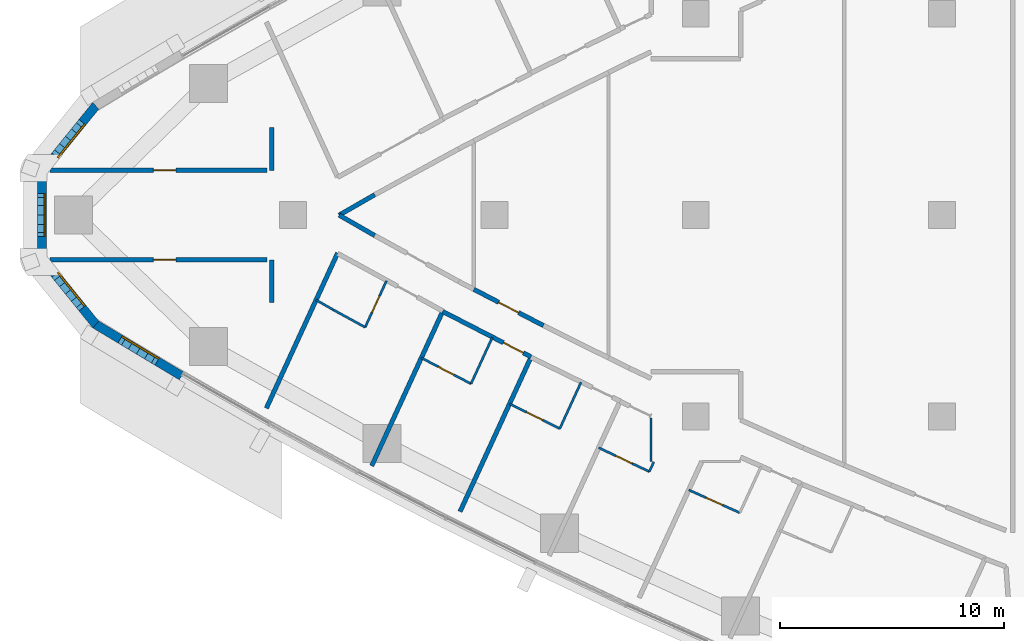
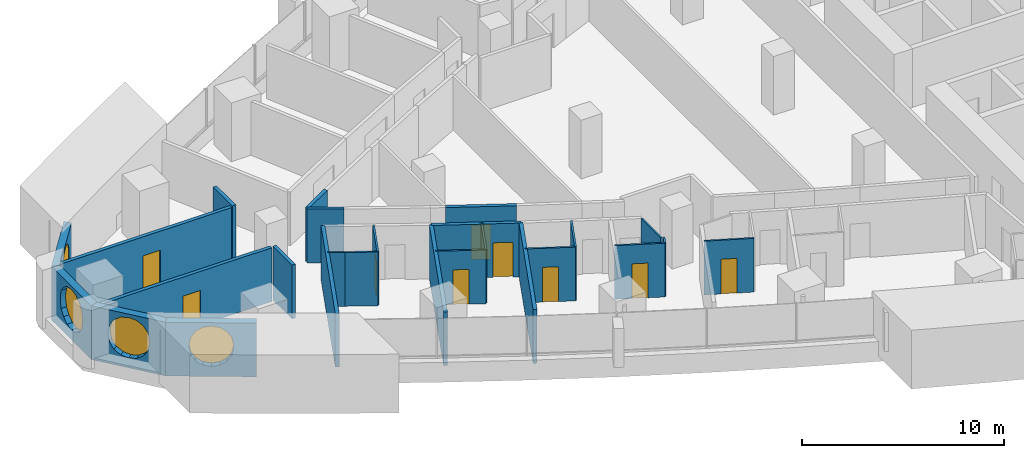
# One storey, part 8 of 17: 26 walls, 9 doors, 4 windows, 13 openings.
"""IFC4 building model written with IfcOpenShell, lengths in metres."""

from ifc_helpers import new_model, si_unit, direction, frame, frame_2d, origin, place, context, subcontext, project, spatial, polyline, rectangle, outline, extrude, material, layer, layer_set, type_object, element, fill, save


model = new_model("IFC4")

# Units and contexts
model_context = context("Model", 3, precision=1e-05, world=origin(), true_north=direction((0.0, 1.0)))
body_context = subcontext(model_context, "Body", "Model", "MODEL_VIEW")
ifc_project = project(units=[si_unit("LENGTHUNIT", "METRE"), si_unit("AREAUNIT", "SQUARE_METRE"), si_unit("VOLUMEUNIT", "CUBIC_METRE"), si_unit("PLANEANGLEUNIT", "RADIAN"), si_unit("MASSUNIT", "GRAM", prefix="KILO")], contexts=[model_context])

# Site, building, storey
site_placement = place(None, origin())
site = spatial("IfcSite", under=ifc_project, at=site_placement, CompositionType="ELEMENT")
building_placement = place(site_placement, origin())
building = spatial("IfcBuilding", under=site, at=building_placement, Name="Ostrand Prow Hotel Tower", CompositionType="ELEMENT")
storey_placement = place(building_placement, frame((0.0, 0.0, 88.449951171875)))
storey = spatial("IfcBuildingStorey", under=building, at=storey_placement, Name="L20", CompositionType="ELEMENT", Elevation=88.449951171875)

# Wall, opening, door
ifc_material_1 = material(Name="Plasterboard partition")
ifc_layer_1 = layer(ifc_material_1, 0.10009765625)
ifc_layer_set_1 = layer_set([ifc_layer_1], Name="Plasterboard partition")
wall_type_1 = type_object("IfcWallType", Name="Partition 100 bathroom wall", PredefinedType="PARTITIONING", material=ifc_layer_set_1)
wall_1_placement = place(storey_placement, frame((20.180419921875, -2.93408203125, 0.0), z_axis=(0.0, 0.0, 1.0), x_axis=(-0.417450047292, -0.908699872354, 0.0)))
wall_1 = element("IfcWall", 1, at=wall_1_placement, inside=storey, type_object=wall_type_1, Name="BATHROOM WALL", PredefinedType="PARTITIONING", context=body_context, shape_type="SweptSolid", body=[
    extrude(rectangle(XDim=2.28271484375, YDim=0.10009765625, at=frame_2d((1.141357421875, 0.0))), origin(), (0.0, 0.0, 1.0), 3.25),
])
opening_1_placement = place(wall_1_placement, frame((0.75, 0.0, 0.0)))
opening_1 = element("IfcOpeningElement", 2, at=opening_1_placement, cuts=wall_1, Name="Opening D2", PredefinedType="OPENING", context=body_context, shape_type="SweptSolid", body=[
    extrude(rectangle(XDim=0.800048828125, YDim=2.10009765625, at=frame_2d((0.39990234375, 1.050048828125))), frame((0.0, 0.06005859375, 0.0), z_axis=(0.0, -1.0, 0.0), x_axis=(1.0, 0.0, 0.0)), (0.0, 0.0, 1.0), 0.1201171875),
])
ifc_material_2 = material(Name="Timber door leaf", Category="wood")
door_type_1 = type_object("IfcDoorType", Name="Bathroom door 800", OperationType="SINGLE_SWING_LEFT", PredefinedType="DOOR", material=ifc_material_2)
door_1_placement = place(opening_1_placement, origin())
door_1 = element("IfcDoor", 3, at=door_1_placement, inside=storey, type_object=door_type_1, Name="DOOR", OperationType="SINGLE_SWING_LEFT", OverallHeight=2.10009765625, OverallWidth=0.800048828125, PredefinedType="DOOR", context=body_context, shape_type="SweptSolid", body=[
    extrude(rectangle(XDim=0.800048828125, YDim=2.10009765625, at=frame_2d((0.39990234375, 1.050048828125))), frame((0.0, 0.02490234375, 0.0), z_axis=(0.0, -1.0, 0.0), x_axis=(1.0, 0.0, 0.0)), (0.0, 0.0, 1.0), 0.050048828125),
])
fill(opening_1, door_1)

# Walls
wall_2_placement = place(storey_placement, frame((19.2275390625, -5.00830078125, 0.0), z_axis=(0.0, 0.0, 1.0), x_axis=(-0.877424481957, 0.479714788663, 0.0)))
element("IfcWall", 4, at=wall_2_placement, inside=storey, type_object=wall_type_1, Name="BATHROOM WALL", PredefinedType="PARTITIONING", context=body_context, shape_type="SweptSolid", body=[
    extrude(rectangle(XDim=1.62548828125, YDim=0.10009765625, at=frame_2d((0.812744140625, 0.0))), origin(), (0.0, 0.0, 1.0), 3.25),
])
wall_3_placement = place(storey_placement, frame((17.80126953125, -4.228515625, 0.0), z_axis=(0.0, 0.0, 1.0), x_axis=(-0.867629162742, 0.497211862248, 0.0)))
element("IfcWall", 5, at=wall_3_placement, inside=storey, type_object=wall_type_1, Name="BATHROOM WALL", PredefinedType="PARTITIONING", context=body_context, shape_type="SweptSolid", body=[
    extrude(rectangle(XDim=0.8818359375, YDim=0.10009765625, at=frame_2d((0.44091796875, 0.0))), origin(), (0.0, 0.0, 1.0), 3.25),
])
wall_4_placement = place(storey_placement, frame((24.9091796875, -5.4619140625, 0.0), z_axis=(0.0, 0.0, 1.0), x_axis=(-0.417454762401, -0.908697706253, 0.0)))
element("IfcWall", 6, at=wall_4_placement, inside=storey, type_object=wall_type_1, Name="BATHROOM WALL", PredefinedType="PARTITIONING", context=body_context, shape_type="SweptSolid", body=[
    extrude(rectangle(XDim=2.27978515625, YDim=0.10009765625, at=frame_2d((1.139892578125, 0.0))), origin(), (0.0, 0.0, 1.0), 3.25),
])

# Wall, opening, door
wall_5_placement = place(storey_placement, frame((23.95751953125, -7.533447265625, 0.0), z_axis=(0.0, 0.0, 1.0), x_axis=(-0.886911586599, 0.461939214135, 0.0)))
wall_5 = element("IfcWall", 7, at=wall_5_placement, inside=storey, type_object=wall_type_1, Name="BATHROOM WALL", PredefinedType="PARTITIONING", context=body_context, shape_type="SweptSolid", body=[
    extrude(rectangle(XDim=2.5029296875, YDim=0.10009765625, at=frame_2d((1.25146484375, 0.0))), origin(), (0.0, 0.0, 1.0), 3.25),
])
opening_2_placement = place(wall_5_placement, frame((0.85009765625, 0.0, 0.0)))
opening_2 = element("IfcOpeningElement", 8, at=opening_2_placement, cuts=wall_5, Name="Opening D2", PredefinedType="OPENING", context=body_context, shape_type="SweptSolid", body=[
    extrude(rectangle(XDim=0.800048828125, YDim=2.10009765625, at=frame_2d((0.39990234375, 1.050048828125))), frame((0.0, 0.06005859375, 0.0), z_axis=(0.0, -1.0, 0.0), x_axis=(1.0, 0.0, 0.0)), (0.0, 0.0, 1.0), 0.1201171875),
])
door_2_placement = place(opening_2_placement, origin())
door_2 = element("IfcDoor", 9, at=door_2_placement, inside=storey, type_object=door_type_1, Name="DOOR", OperationType="SINGLE_SWING_LEFT", OverallHeight=2.10009765625, OverallWidth=0.800048828125, PredefinedType="DOOR", context=body_context, shape_type="SweptSolid", body=[
    extrude(rectangle(XDim=0.800048828125, YDim=2.10009765625, at=frame_2d((0.39990234375, 1.050048828125))), frame((0.0, 0.02490234375, 0.0), z_axis=(0.0, -1.0, 0.0), x_axis=(1.0, 0.0, 0.0)), (0.0, 0.0, 1.0), 0.050048828125),
])
fill(opening_2, door_2)

# Wall
wall_6_placement = place(storey_placement, frame((28.87255859375, -7.466552734375, 0.0), z_axis=(0.0, 0.0, 1.0), x_axis=(-0.417433204355, -0.908707609686, 0.0)))
element("IfcWall", 10, at=wall_6_placement, inside=storey, type_object=wall_type_1, Name="BATHROOM WALL", PredefinedType="PARTITIONING", context=body_context, shape_type="SweptSolid", body=[
    extrude(rectangle(XDim=2.278076171875, YDim=0.10009765625, at=frame_2d((1.13916015625, 0.0))), origin(), (0.0, 0.0, 1.0), 3.25),
])

# Wall, opening, door
wall_7_placement = place(storey_placement, frame((27.921630859375, -9.53662109375, 0.0), z_axis=(0.0, 0.0, 1.0), x_axis=(-0.895944857815, 0.444165297784, 0.0)))
wall_7 = element("IfcWall", 11, at=wall_7_placement, inside=storey, type_object=wall_type_1, Name="BATHROOM WALL", PredefinedType="PARTITIONING", context=body_context, shape_type="SweptSolid", body=[
    extrude(rectangle(XDim=2.5009765625, YDim=0.10009765625, at=frame_2d((1.25048828125, 0.0))), origin(), (0.0, 0.0, 1.0), 3.25),
])
opening_3_placement = place(wall_7_placement, frame((0.85009765625, 0.0, 0.0)))
opening_3 = element("IfcOpeningElement", 12, at=opening_3_placement, cuts=wall_7, Name="Opening D2", PredefinedType="OPENING", context=body_context, shape_type="SweptSolid", body=[
    extrude(rectangle(XDim=0.800048828125, YDim=2.10009765625, at=frame_2d((0.39990234375, 1.050048828125))), frame((0.0, 0.06005859375, 0.0), z_axis=(0.0, -1.0, 0.0), x_axis=(1.0, 0.0, 0.0)), (0.0, 0.0, 1.0), 0.1201171875),
])
door_3_placement = place(opening_3_placement, origin())
door_3 = element("IfcDoor", 13, at=door_3_placement, inside=storey, type_object=door_type_1, Name="DOOR", OperationType="SINGLE_SWING_LEFT", OverallHeight=2.10009765625, OverallWidth=0.800048828125, PredefinedType="DOOR", context=body_context, shape_type="SweptSolid", body=[
    extrude(rectangle(XDim=0.800048828125, YDim=2.10009765625, at=frame_2d((0.39990234375, 1.050048828125))), frame((0.0, 0.02490234375, 0.0), z_axis=(0.0, -1.0, 0.0), x_axis=(1.0, 0.0, 0.0)), (0.0, 0.0, 1.0), 0.050048828125),
])
fill(opening_3, door_3)

# Wall
wall_8_placement = place(storey_placement, frame((32.123779296875, -11.022216796875, 0.0), z_axis=(0.0, 0.0, 1.0), x_axis=(-0.4176025781, -0.908629785316, 0.0)))
element("IfcWall", 14, at=wall_8_placement, inside=storey, type_object=wall_type_1, Name="BATHROOM WALL", PredefinedType="PARTITIONING", context=body_context, shape_type="SweptSolid", body=[
    extrude(rectangle(XDim=0.478759765625, YDim=0.10009765625, at=frame_2d((0.2392578125, 0.0))), origin(), (0.0, 0.0, 1.0), 3.25),
])

# Wall, opening, door
wall_9_placement = place(storey_placement, frame((31.923828125, -11.457275390625, 0.0), z_axis=(0.0, 0.0, 1.0), x_axis=(-0.904688082375, 0.426074493027, 0.0)))
wall_9 = element("IfcWall", 15, at=wall_9_placement, inside=storey, type_object=wall_type_1, Name="BATHROOM WALL", PredefinedType="PARTITIONING", context=body_context, shape_type="SweptSolid", body=[
    extrude(rectangle(XDim=2.5, YDim=0.10009765625, at=frame_2d((1.25, 0.0))), origin(), (0.0, 0.0, 1.0), 3.25),
])
opening_4_placement = place(wall_9_placement, frame((0.85009765625, 0.0, 0.0)))
opening_4 = element("IfcOpeningElement", 16, at=opening_4_placement, cuts=wall_9, Name="Opening D2", PredefinedType="OPENING", context=body_context, shape_type="SweptSolid", body=[
    extrude(rectangle(XDim=0.800048828125, YDim=2.10009765625, at=frame_2d((0.39990234375, 1.050048828125))), frame((0.0, 0.06005859375, 0.0), z_axis=(0.0, -1.0, 0.0), x_axis=(1.0, 0.0, 0.0)), (0.0, 0.0, 1.0), 0.1201171875),
])
door_4_placement = place(opening_4_placement, origin())
door_4 = element("IfcDoor", 17, at=door_4_placement, inside=storey, type_object=door_type_1, Name="DOOR", OperationType="SINGLE_SWING_LEFT", OverallHeight=2.10009765625, OverallWidth=0.800048828125, PredefinedType="DOOR", context=body_context, shape_type="SweptSolid", body=[
    extrude(rectangle(XDim=0.800048828125, YDim=2.10009765625, at=frame_2d((0.39990234375, 1.050048828125))), frame((0.0, 0.02490234375, 0.0), z_axis=(0.0, -1.0, 0.0), x_axis=(1.0, 0.0, 0.0)), (0.0, 0.0, 1.0), 0.050048828125),
])
fill(opening_4, door_4)

wall_10_placement = place(storey_placement, frame((35.966552734375, -13.296875, 0.0), z_axis=(0.0, 0.0, 1.0), x_axis=(-0.913016449487, 0.407922741417, 0.0)))
wall_10 = element("IfcWall", 18, at=wall_10_placement, inside=storey, type_object=wall_type_1, Name="BATHROOM WALL", PredefinedType="PARTITIONING", context=body_context, shape_type="SweptSolid", body=[
    extrude(rectangle(XDim=2.5, YDim=0.10009765625, at=frame_2d((1.25, 0.0))), origin(), (0.0, 0.0, 1.0), 3.25),
])
opening_5_placement = place(wall_10_placement, frame((0.85009765625, 0.0, 0.0)))
opening_5 = element("IfcOpeningElement", 19, at=opening_5_placement, cuts=wall_10, Name="Opening D2", PredefinedType="OPENING", context=body_context, shape_type="SweptSolid", body=[
    extrude(rectangle(XDim=0.800048828125, YDim=2.10009765625, at=frame_2d((0.39990234375, 1.050048828125))), frame((0.0, 0.06005859375, 0.0), z_axis=(0.0, -1.0, 0.0), x_axis=(1.0, 0.0, 0.0)), (0.0, 0.0, 1.0), 0.1201171875),
])
door_5_placement = place(opening_5_placement, origin())
door_5 = element("IfcDoor", 20, at=door_5_placement, inside=storey, type_object=door_type_1, Name="DOOR", OperationType="SINGLE_SWING_LEFT", OverallHeight=2.10009765625, OverallWidth=0.800048828125, PredefinedType="DOOR", context=body_context, shape_type="SweptSolid", body=[
    extrude(rectangle(XDim=0.800048828125, YDim=2.10009765625, at=frame_2d((0.39990234375, 1.050048828125))), frame((0.0, 0.02490234375, 0.0), z_axis=(0.0, -1.0, 0.0), x_axis=(1.0, 0.0, 0.0)), (0.0, 0.0, 1.0), 0.050048828125),
])
fill(opening_5, door_5)

# Wall
wall_11_placement = place(storey_placement, frame((31.9951171875, -9.053955078125, 0.0), z_axis=(0.0, 0.0, 1.0), x_axis=(0.0, -1.0, 0.0)))
element("IfcWall", 21, at=wall_11_placement, inside=storey, type_object=wall_type_1, Name="BATHROOM WALL", PredefinedType="PARTITIONING", context=body_context, shape_type="SweptSolid", body=[
    extrude(rectangle(XDim=1.946533203125, YDim=0.10009765625, at=frame_2d((0.97314453125, 0.0))), origin(), (0.0, 0.0, 1.0), 3.25),
])

# Wall, opening, door
ifc_material_3 = material(Name="Plasterboard partition")
ifc_layer_2 = layer(ifc_material_3, 0.199951171875)
ifc_layer_set_2 = layer_set([ifc_layer_2], Name="Plasterboard partition")
wall_type_2 = type_object("IfcWallType", Name="Partition 200 corridor wall", PredefinedType="PARTITIONING", material=ifc_layer_set_2)
wall_12_placement = place(storey_placement, frame((5.144775390625, 2.0, 0.0), z_axis=(0.0, 0.0, 1.0), x_axis=(1.0, 0.0, 0.0)))
wall_12 = element("IfcWall", 22, at=wall_12_placement, inside=storey, type_object=wall_type_2, Name="CORRIDOR WALL", PredefinedType="PARTITIONING", context=body_context, shape_type="SweptSolid", body=[
    extrude(rectangle(XDim=9.708984375, YDim=0.199951171875, at=frame_2d((4.8544921875, 0.0))), origin(), (0.0, 0.0, 1.0), 3.25),
])
opening_6_placement = place(wall_12_placement, frame((4.624755859375, 0.0, 0.0)))
opening_6 = element("IfcOpeningElement", 23, at=opening_6_placement, cuts=wall_12, Name="Opening D1", PredefinedType="OPENING", context=body_context, shape_type="SweptSolid", body=[
    extrude(rectangle(XDim=1.0, YDim=2.10009765625, at=frame_2d((0.5, 1.050048828125))), frame((0.0, 0.10986328125, 0.0), z_axis=(0.0, -1.0, 0.0), x_axis=(1.0, 0.0, 0.0)), (0.0, 0.0, 1.0), 0.219970703125),
])
ifc_material_4 = material(Name="Timber door leaf", Category="wood")
door_type_2 = type_object("IfcDoorType", Name="Guest room door 1000", OperationType="SINGLE_SWING_LEFT", PredefinedType="DOOR", material=ifc_material_4)
door_6_placement = place(opening_6_placement, origin())
door_6 = element("IfcDoor", 24, at=door_6_placement, inside=storey, type_object=door_type_2, Name="DOOR", OperationType="SINGLE_SWING_LEFT", OverallHeight=2.10009765625, OverallWidth=1.0, PredefinedType="DOOR", context=body_context, shape_type="SweptSolid", body=[
    extrude(rectangle(XDim=1.0, YDim=2.10009765625, at=frame_2d((0.5, 1.050048828125))), frame((0.0, 0.02490234375, 0.0), z_axis=(0.0, -1.0, 0.0), x_axis=(1.0, 0.0, 0.0)), (0.0, 0.0, 1.0), 0.050048828125),
])
fill(opening_6, door_6)

wall_13_placement = place(storey_placement, frame((5.144775390625, -2.0, 0.0), z_axis=(0.0, 0.0, 1.0), x_axis=(1.0, 0.0, 0.0)))
wall_13 = element("IfcWall", 25, at=wall_13_placement, inside=storey, type_object=wall_type_2, Name="CORRIDOR WALL", PredefinedType="PARTITIONING", context=body_context, shape_type="SweptSolid", body=[
    extrude(rectangle(XDim=9.708984375, YDim=0.199951171875, at=frame_2d((4.8544921875, 0.0))), origin(), (0.0, 0.0, 1.0), 3.25),
])
opening_7_placement = place(wall_13_placement, frame((4.624755859375, 0.0, 0.0)))
opening_7 = element("IfcOpeningElement", 26, at=opening_7_placement, cuts=wall_13, Name="Opening D1R", PredefinedType="OPENING", context=body_context, shape_type="SweptSolid", body=[
    extrude(rectangle(XDim=1.0, YDim=2.10009765625, at=frame_2d((0.5, 1.050048828125))), frame((0.0, 0.10986328125, 0.0), z_axis=(0.0, -1.0, 0.0), x_axis=(1.0, 0.0, 0.0)), (0.0, 0.0, 1.0), 0.219970703125),
])
ifc_material_5 = material(Name="Timber door leaf", Category="wood")
door_type_3 = type_object("IfcDoorType", Name="Guest room door 1000 right", OperationType="SINGLE_SWING_RIGHT", PredefinedType="DOOR", material=ifc_material_5)
door_7_placement = place(opening_7_placement, origin())
door_7 = element("IfcDoor", 27, at=door_7_placement, inside=storey, type_object=door_type_3, Name="DOOR", OperationType="SINGLE_SWING_RIGHT", OverallHeight=2.10009765625, OverallWidth=1.0, PredefinedType="DOOR", context=body_context, shape_type="SweptSolid", body=[
    extrude(rectangle(XDim=1.0, YDim=2.10009765625, at=frame_2d((0.5, 1.050048828125))), frame((0.0, 0.02490234375, 0.0), z_axis=(0.0, -1.0, 0.0), x_axis=(1.0, 0.0, 0.0)), (0.0, 0.0, 1.0), 0.050048828125),
])
fill(opening_7, door_7)

wall_14_placement = place(storey_placement, frame((22.6904296875, -4.302490234375, 0.0), z_axis=(0.0, 0.0, 1.0), x_axis=(0.889236075961, -0.457448577667, 0.0)))
wall_14 = element("IfcWall", 28, at=wall_14_placement, inside=storey, type_object=wall_type_2, Name="CORRIDOR WALL", PredefinedType="PARTITIONING", context=body_context, shape_type="SweptSolid", body=[
    extrude(rectangle(XDim=4.443115234375, YDim=0.199951171875, at=frame_2d((2.2216796875, 0.0))), origin(), (0.0, 0.0, 1.0), 3.25),
])
opening_8_placement = place(wall_14_placement, frame((3.050048828125, 0.0, 0.0)))
opening_8 = element("IfcOpeningElement", 29, at=opening_8_placement, cuts=wall_14, Name="Opening D1R", PredefinedType="OPENING", context=body_context, shape_type="SweptSolid", body=[
    extrude(rectangle(XDim=1.0, YDim=2.10009765625, at=frame_2d((0.5, 1.050048828125))), frame((0.0, 0.10986328125, 0.0), z_axis=(0.0, -1.0, 0.0), x_axis=(1.0, 0.0, 0.0)), (0.0, 0.0, 1.0), 0.219970703125),
])
door_8_placement = place(opening_8_placement, origin())
door_8 = element("IfcDoor", 30, at=door_8_placement, inside=storey, type_object=door_type_3, Name="DOOR", OperationType="SINGLE_SWING_RIGHT", OverallHeight=2.10009765625, OverallWidth=1.0, PredefinedType="DOOR", context=body_context, shape_type="SweptSolid", body=[
    extrude(rectangle(XDim=1.0, YDim=2.10009765625, at=frame_2d((0.5, 1.050048828125))), frame((0.0, 0.02490234375, 0.0), z_axis=(0.0, -1.0, 0.0), x_axis=(1.0, 0.0, 0.0)), (0.0, 0.0, 1.0), 0.050048828125),
])
fill(opening_8, door_8)

# Walls
for number, where, z_axis, x_axis, name in (
    (31, (19.6572265625, -0.912353515625, 0.0), (0.0, 0.0, 1.0), (-0.867694156962, 0.49709843087, 0.0), "CORRIDOR WALL"),
    (32, (18.064697265625, 0.0, 0.0), (0.0, 0.0, 1.0), (0.867694156962, 0.49709843087, 0.0), "CORRIDOR WALL"),
):
    element("IfcWall", number, at=place(storey_placement, frame(where, z_axis=z_axis, x_axis=x_axis)), inside=storey, type_object=wall_type_2, Name=name, PredefinedType="PARTITIONING", context=body_context, shape_type="SweptSolid", body=[
        extrude(rectangle(XDim=1.83544921875, YDim=0.199951171875, at=frame_2d((0.917724609375, 0.0))), origin(), (0.0, 0.0, 1.0), 3.25),
    ])

# Wall, opening, door
wall_15_placement = place(storey_placement, frame((27.1962890625, -4.935791015625, 0.0), z_axis=(0.0, 0.0, 1.0), x_axis=(-0.886893314466, 0.461974294476, 0.0)))
wall_15 = element("IfcWall", 33, at=wall_15_placement, inside=storey, type_object=wall_type_2, Name="CORRIDOR WALL", PredefinedType="PARTITIONING", context=body_context, shape_type="SweptSolid", body=[
    extrude(rectangle(XDim=3.51171875, YDim=0.199951171875, at=frame_2d((1.755859375, 0.0))), origin(), (0.0, 0.0, 1.0), 3.25),
])
opening_9_placement = place(wall_15_placement, frame((1.255859375, 0.0, 0.0)))
opening_9 = element("IfcOpeningElement", 34, at=opening_9_placement, cuts=wall_15, Name="Opening D1", PredefinedType="OPENING", context=body_context, shape_type="SweptSolid", body=[
    extrude(rectangle(XDim=1.0, YDim=2.10009765625, at=frame_2d((0.5, 1.050048828125))), frame((0.0, 0.10986328125, 0.0), z_axis=(0.0, -1.0, 0.0), x_axis=(1.0, 0.0, 0.0)), (0.0, 0.0, 1.0), 0.219970703125),
])
door_9_placement = place(opening_9_placement, origin())
door_9 = element("IfcDoor", 35, at=door_9_placement, inside=storey, type_object=door_type_2, Name="DOOR", OperationType="SINGLE_SWING_LEFT", OverallHeight=2.10009765625, OverallWidth=1.0, PredefinedType="DOOR", context=body_context, shape_type="SweptSolid", body=[
    extrude(rectangle(XDim=1.0, YDim=2.10009765625, at=frame_2d((0.5, 1.050048828125))), frame((0.0, 0.02490234375, 0.0), z_axis=(0.0, -1.0, 0.0), x_axis=(1.0, 0.0, 0.0)), (0.0, 0.0, 1.0), 0.050048828125),
])
fill(opening_9, door_9)

# Walls
wall_16_placement = place(storey_placement, frame((15.0537109375, 3.90869140625, 0.0), z_axis=(0.0, 0.0, 1.0), x_axis=(0.0, -1.0, 0.0)))
element("IfcWall", 36, at=wall_16_placement, inside=storey, type_object=wall_type_2, Name="CORRIDOR WALL", PredefinedType="PARTITIONING", context=body_context, shape_type="SweptSolid", body=[
    extrude(rectangle(XDim=1.90380859375, YDim=0.199951171875, at=frame_2d((0.951904296875, 0.0))), origin(), (0.0, 0.0, 1.0), 3.25),
])
wall_17_placement = place(storey_placement, frame((15.0537109375, -2.0048828125, 0.0), z_axis=(0.0, 0.0, 1.0), x_axis=(0.0, -1.0, 0.0)))
element("IfcWall", 37, at=wall_17_placement, inside=storey, type_object=wall_type_2, Name="CORRIDOR WALL", PredefinedType="PARTITIONING", context=body_context, shape_type="SweptSolid", body=[
    extrude(rectangle(XDim=1.907958984375, YDim=0.199951171875, at=frame_2d((0.9541015625, 0.0))), origin(), (0.0, 0.0, 1.0), 3.25),
])
ifc_material_6 = material(Name="Plasterboard partition")
ifc_layer_3 = layer(ifc_material_6, 0.199951171875)
ifc_layer_set_3 = layer_set([ifc_layer_3], Name="Plasterboard partition")
wall_type_3 = type_object("IfcWallType", Name="Partition 200 key partition", PredefinedType="PARTITIONING", material=ifc_layer_set_3)
wall_18_placement = place(storey_placement, frame((14.814697265625, -8.625732421875, 0.0), z_axis=(0.0, 0.0, 1.0), x_axis=(0.417432341259, 0.908708006166, 0.0)))
element("IfcWall", 38, at=wall_18_placement, inside=storey, type_object=wall_type_3, Name="KEY PARTITION", PredefinedType="PARTITIONING", context=body_context, shape_type="SweptSolid", body=[
    extrude(rectangle(XDim=7.630615234375, YDim=0.199951171875, at=frame_2d((3.8154296875, 0.0))), origin(), (0.0, 0.0, 1.0), 3.25),
])
wall_19_placement = place(storey_placement, frame((19.5224609375, -11.19921875, 0.0), z_axis=(0.0, 0.0, 1.0), x_axis=(0.417413534969, 0.908716644959, 0.0)))
element("IfcWall", 39, at=wall_19_placement, inside=storey, type_object=wall_type_3, Name="KEY PARTITION", PredefinedType="PARTITIONING", context=body_context, shape_type="SweptSolid", body=[
    extrude(rectangle(XDim=7.609375, YDim=0.199951171875, at=frame_2d((3.8046875, 0.0))), origin(), (0.0, 0.0, 1.0), 3.25),
])
wall_20_placement = place(storey_placement, frame((23.46728515625, -13.244140625, 0.0), z_axis=(0.0, 0.0, 1.0), x_axis=(0.417455028008, 0.908697584233, 0.0)))
element("IfcWall", 40, at=wall_20_placement, inside=storey, type_object=wall_type_3, Name="KEY PARTITION", PredefinedType="PARTITIONING", context=body_context, shape_type="SweptSolid", body=[
    extrude(rectangle(XDim=7.603271484375, YDim=0.199951171875, at=frame_2d((3.8017578125, 0.0))), origin(), (0.0, 0.0, 1.0), 3.25),
])

# Wall, opening, window
ifc_material_7 = material(Name="Precast concrete C40/50", Category="concrete")
ifc_layer_4 = layer(ifc_material_7, 0.39990234375)
ifc_layer_set_4 = layer_set([ifc_layer_4], Name="Precast concrete C40/50")
wall_type_4 = type_object("IfcWallType", Name="Stone-faced precast wall 400 mm", PredefinedType="NOTDEFINED", material=ifc_layer_set_4)
wall_21_placement = place(storey_placement, frame((7.1943359375, 4.8876953125, 0.0), z_axis=(0.0, 0.0, 1.0), x_axis=(-0.62903486133, -0.777377092042, 0.0)))
wall_21 = element("IfcWall", 41, at=wall_21_placement, inside=storey, type_object=wall_type_4, Name="Stone-faced wall prow 2", PredefinedType="NOTDEFINED", context=body_context, shape_type="SweptSolid", body=[
    extrude(outline(polyline([(-0.035400390625, -0.199951171875), (3.897216796875, -0.199951171875), (3.755615234375, 0.199951171875), (0.035400390625, 0.199951171875), (-0.035400390625, -0.199951171875)])), origin(), (0.0, 0.0, 1.0), 3.25),
])
opening_10_placement = place(wall_21_placement, frame((0.813232421875, 0.0, 0.60009765625)))
opening_10 = element("IfcOpeningElement", 42, at=opening_10_placement, cuts=wall_21, Name="Opening WP2", PredefinedType="OPENING", context=body_context, shape_type="SweptSolid", body=[
    extrude(outline(polyline([(0.0, 1.35009765625), (0.083740234375, 1.77099609375), (0.322265625, 2.127685546875), (0.678955078125, 2.3662109375), (1.10009765625, 2.449951171875), (1.52099609375, 2.3662109375), (1.877685546875, 2.127685546875), (2.1162109375, 1.77099609375), (2.199951171875, 1.35009765625), (2.199951171875, 1.10009765625), (2.1162109375, 0.678955078125), (1.877685546875, 0.322265625), (1.52099609375, 0.083740234375), (1.10009765625, 0.0), (0.678955078125, 0.083740234375), (0.322265625, 0.322265625), (0.083740234375, 0.678955078125), (0.0, 1.099853515625), (0.0, 1.35009765625)])), frame((0.0, 0.2099609375, 0.0), z_axis=(0.0, -1.0, 0.0), x_axis=(1.0, 0.0, 0.0)), (0.0, 0.0, 1.0), 0.419921875),
])
ifc_material_8 = material(Name="Insulated glass in bronze frame", Category="glass")
window_type = type_object("IfcWindowType", Name="Round-ended prow lounge window 2200x2450", PartitioningType="SINGLE_PANEL", PredefinedType="WINDOW", material=ifc_material_8)
window_1_placement = place(opening_10_placement, origin())
window_1 = element("IfcWindow", 43, at=window_1_placement, inside=storey, type_object=window_type, Name="Window prow 2.1", OverallHeight=2.449951171875, OverallWidth=2.199951171875, PartitioningType="SINGLE_PANEL", PredefinedType="WINDOW", context=body_context, shape_type="SweptSolid", body=[
    extrude(outline(polyline([(0.0, 1.35009765625), (0.083740234375, 1.77099609375), (0.322265625, 2.127685546875), (0.678955078125, 2.3662109375), (1.10009765625, 2.449951171875), (1.52099609375, 2.3662109375), (1.877685546875, 2.127685546875), (2.1162109375, 1.77099609375), (2.199951171875, 1.35009765625), (2.199951171875, 1.10009765625), (2.1162109375, 0.678955078125), (1.877685546875, 0.322265625), (1.52099609375, 0.083740234375), (1.10009765625, 0.0), (0.678955078125, 0.083740234375), (0.322265625, 0.322265625), (0.083740234375, 0.678955078125), (0.0, 1.099853515625), (0.0, 1.35009765625)])), frame((0.0, 0.169921875, 0.0), z_axis=(0.0, -1.0, 0.0), x_axis=(1.0, 0.0, 0.0)), (0.0, 0.0, 1.0), 0.06005859375),
])
fill(opening_10, window_1)

wall_22_placement = place(storey_placement, frame((4.787353515625, 1.9130859375, 0.0), z_axis=(0.0, 0.0, 1.0), x_axis=(0.0, -1.0, 0.0)))
wall_22 = element("IfcWall", 44, at=wall_22_placement, inside=storey, type_object=wall_type_4, Name="Stone-faced wall prow 3", PredefinedType="NOTDEFINED", context=body_context, shape_type="SweptSolid", body=[
    extrude(outline(polyline([(-0.07080078125, -0.199951171875), (3.89697265625, -0.199951171875), (3.75537109375, 0.199951171875), (0.07080078125, 0.199951171875), (-0.07080078125, -0.199951171875)])), origin(), (0.0, 0.0, 1.0), 3.25),
])
opening_11_placement = place(wall_22_placement, frame((0.813232421875, 0.0, 0.60009765625)))
opening_11 = element("IfcOpeningElement", 45, at=opening_11_placement, cuts=wall_22, Name="Opening WP2", PredefinedType="OPENING", context=body_context, shape_type="SweptSolid", body=[
    extrude(outline(polyline([(0.0, 1.35009765625), (0.083740234375, 1.77099609375), (0.322265625, 2.127685546875), (0.678955078125, 2.3662109375), (1.10009765625, 2.449951171875), (1.52099609375, 2.3662109375), (1.877685546875, 2.127685546875), (2.1162109375, 1.77099609375), (2.199951171875, 1.35009765625), (2.199951171875, 1.10009765625), (2.1162109375, 0.678955078125), (1.877685546875, 0.322265625), (1.52099609375, 0.083740234375), (1.10009765625, 0.0), (0.678955078125, 0.083740234375), (0.322265625, 0.322265625), (0.083740234375, 0.678955078125), (0.0, 1.099853515625), (0.0, 1.35009765625)])), frame((0.0, 0.2099609375, 0.0), z_axis=(0.0, -1.0, 0.0), x_axis=(1.0, 0.0, 0.0)), (0.0, 0.0, 1.0), 0.419921875),
])
window_2_placement = place(opening_11_placement, origin())
window_2 = element("IfcWindow", 46, at=window_2_placement, inside=storey, type_object=window_type, Name="Window prow 3.1", OverallHeight=2.449951171875, OverallWidth=2.199951171875, PartitioningType="SINGLE_PANEL", PredefinedType="WINDOW", context=body_context, shape_type="SweptSolid", body=[
    extrude(outline(polyline([(0.0, 1.35009765625), (0.083740234375, 1.77099609375), (0.322265625, 2.127685546875), (0.678955078125, 2.3662109375), (1.10009765625, 2.449951171875), (1.52099609375, 2.3662109375), (1.877685546875, 2.127685546875), (2.1162109375, 1.77099609375), (2.199951171875, 1.35009765625), (2.199951171875, 1.10009765625), (2.1162109375, 0.678955078125), (1.877685546875, 0.322265625), (1.52099609375, 0.083740234375), (1.10009765625, 0.0), (0.678955078125, 0.083740234375), (0.322265625, 0.322265625), (0.083740234375, 0.678955078125), (0.0, 1.099853515625), (0.0, 1.35009765625)])), frame((0.0, 0.169921875, 0.0), z_axis=(0.0, -1.0, 0.0), x_axis=(1.0, 0.0, 0.0)), (0.0, 0.0, 1.0), 0.06005859375),
])
fill(opening_11, window_2)

wall_23_placement = place(storey_placement, frame((4.787353515625, -1.9130859375, 0.0), z_axis=(0.0, 0.0, 1.0), x_axis=(0.62903486133, -0.777377092042, 0.0)))
wall_23 = element("IfcWall", 47, at=wall_23_placement, inside=storey, type_object=wall_type_4, Name="Stone-faced wall prow 4", PredefinedType="NOTDEFINED", context=body_context, shape_type="SweptSolid", body=[
    extrude(outline(polyline([(-0.07080078125, -0.199951171875), (3.86181640625, -0.199951171875), (3.791015625, 0.199951171875), (0.07080078125, 0.199951171875), (-0.07080078125, -0.199951171875)])), origin(), (0.0, 0.0, 1.0), 3.25),
])
opening_12_placement = place(wall_23_placement, frame((0.813232421875, 0.0, 0.60009765625)))
opening_12 = element("IfcOpeningElement", 48, at=opening_12_placement, cuts=wall_23, Name="Opening WP2", PredefinedType="OPENING", context=body_context, shape_type="SweptSolid", body=[
    extrude(outline(polyline([(0.0, 1.35009765625), (0.083740234375, 1.77099609375), (0.322265625, 2.127685546875), (0.678955078125, 2.3662109375), (1.10009765625, 2.449951171875), (1.52099609375, 2.3662109375), (1.877685546875, 2.127685546875), (2.1162109375, 1.77099609375), (2.199951171875, 1.35009765625), (2.199951171875, 1.10009765625), (2.1162109375, 0.678955078125), (1.877685546875, 0.322265625), (1.52099609375, 0.083740234375), (1.10009765625, 0.0), (0.678955078125, 0.083740234375), (0.322265625, 0.322265625), (0.083740234375, 0.678955078125), (0.0, 1.099853515625), (0.0, 1.35009765625)])), frame((0.0, 0.2099609375, 0.0), z_axis=(0.0, -1.0, 0.0), x_axis=(1.0, 0.0, 0.0)), (0.0, 0.0, 1.0), 0.419921875),
])
window_3_placement = place(opening_12_placement, origin())
window_3 = element("IfcWindow", 49, at=window_3_placement, inside=storey, type_object=window_type, Name="Window prow 4.1", OverallHeight=2.449951171875, OverallWidth=2.199951171875, PartitioningType="SINGLE_PANEL", PredefinedType="WINDOW", context=body_context, shape_type="SweptSolid", body=[
    extrude(outline(polyline([(0.0, 1.35009765625), (0.083740234375, 1.77099609375), (0.322265625, 2.127685546875), (0.678955078125, 2.3662109375), (1.10009765625, 2.449951171875), (1.52099609375, 2.3662109375), (1.877685546875, 2.127685546875), (2.1162109375, 1.77099609375), (2.199951171875, 1.35009765625), (2.199951171875, 1.10009765625), (2.1162109375, 0.678955078125), (1.877685546875, 0.322265625), (1.52099609375, 0.083740234375), (1.10009765625, 0.0), (0.678955078125, 0.083740234375), (0.322265625, 0.322265625), (0.083740234375, 0.678955078125), (0.0, 1.099853515625), (0.0, 1.35009765625)])), frame((0.0, 0.169921875, 0.0), z_axis=(0.0, -1.0, 0.0), x_axis=(1.0, 0.0, 0.0)), (0.0, 0.0, 1.0), 0.06005859375),
])
fill(opening_12, window_3)

wall_24_placement = place(storey_placement, frame((7.1943359375, -4.8876953125, 0.0), z_axis=(0.0, 0.0, 1.0), x_axis=(0.857550776474, -0.514399325202, 0.0)))
wall_24 = element("IfcWall", 50, at=wall_24_placement, inside=storey, type_object=wall_type_4, Name="Stone-faced wall prow 5", PredefinedType="NOTDEFINED", context=body_context, shape_type="SweptSolid", body=[
    extrude(outline(polyline([(-0.035400390625, -0.199951171875), (4.468017578125, -0.199951171875), (4.468017578125, 0.199951171875), (0.035400390625, 0.199951171875), (-0.035400390625, -0.199951171875)])), origin(), (0.0, 0.0, 1.0), 3.25),
])
opening_13_placement = place(wall_24_placement, frame((1.134033203125, 0.0, 0.60009765625)))
opening_13 = element("IfcOpeningElement", 51, at=opening_13_placement, cuts=wall_24, Name="Opening WP2", PredefinedType="OPENING", context=body_context, shape_type="SweptSolid", body=[
    extrude(outline(polyline([(0.0, 1.35009765625), (0.083740234375, 1.77099609375), (0.322265625, 2.127685546875), (0.678955078125, 2.3662109375), (1.10009765625, 2.449951171875), (1.52099609375, 2.3662109375), (1.877685546875, 2.127685546875), (2.1162109375, 1.77099609375), (2.199951171875, 1.35009765625), (2.199951171875, 1.10009765625), (2.1162109375, 0.678955078125), (1.877685546875, 0.322265625), (1.52099609375, 0.083740234375), (1.10009765625, 0.0), (0.678955078125, 0.083740234375), (0.322265625, 0.322265625), (0.083740234375, 0.678955078125), (0.0, 1.099853515625), (0.0, 1.35009765625)])), frame((0.0, 0.2099609375, 0.0), z_axis=(0.0, -1.0, 0.0), x_axis=(1.0, 0.0, 0.0)), (0.0, 0.0, 1.0), 0.419921875),
])
window_4_placement = place(opening_13_placement, origin())
window_4 = element("IfcWindow", 52, at=window_4_placement, inside=storey, type_object=window_type, Name="Window prow 5.1", OverallHeight=2.449951171875, OverallWidth=2.199951171875, PartitioningType="SINGLE_PANEL", PredefinedType="WINDOW", context=body_context, shape_type="SweptSolid", body=[
    extrude(outline(polyline([(0.0, 1.35009765625), (0.083740234375, 1.77099609375), (0.322265625, 2.127685546875), (0.678955078125, 2.3662109375), (1.10009765625, 2.449951171875), (1.52099609375, 2.3662109375), (1.877685546875, 2.127685546875), (2.1162109375, 1.77099609375), (2.199951171875, 1.35009765625), (2.199951171875, 1.10009765625), (2.1162109375, 0.678955078125), (1.877685546875, 0.322265625), (1.52099609375, 0.083740234375), (1.10009765625, 0.0), (0.678955078125, 0.083740234375), (0.322265625, 0.322265625), (0.083740234375, 0.678955078125), (0.0, 1.099853515625), (0.0, 1.35009765625)])), frame((0.0, 0.169921875, 0.0), z_axis=(0.0, -1.0, 0.0), x_axis=(1.0, 0.0, 0.0)), (0.0, 0.0, 1.0), 0.06005859375),
])
fill(opening_13, window_4)

save(model, "model.ifc")
